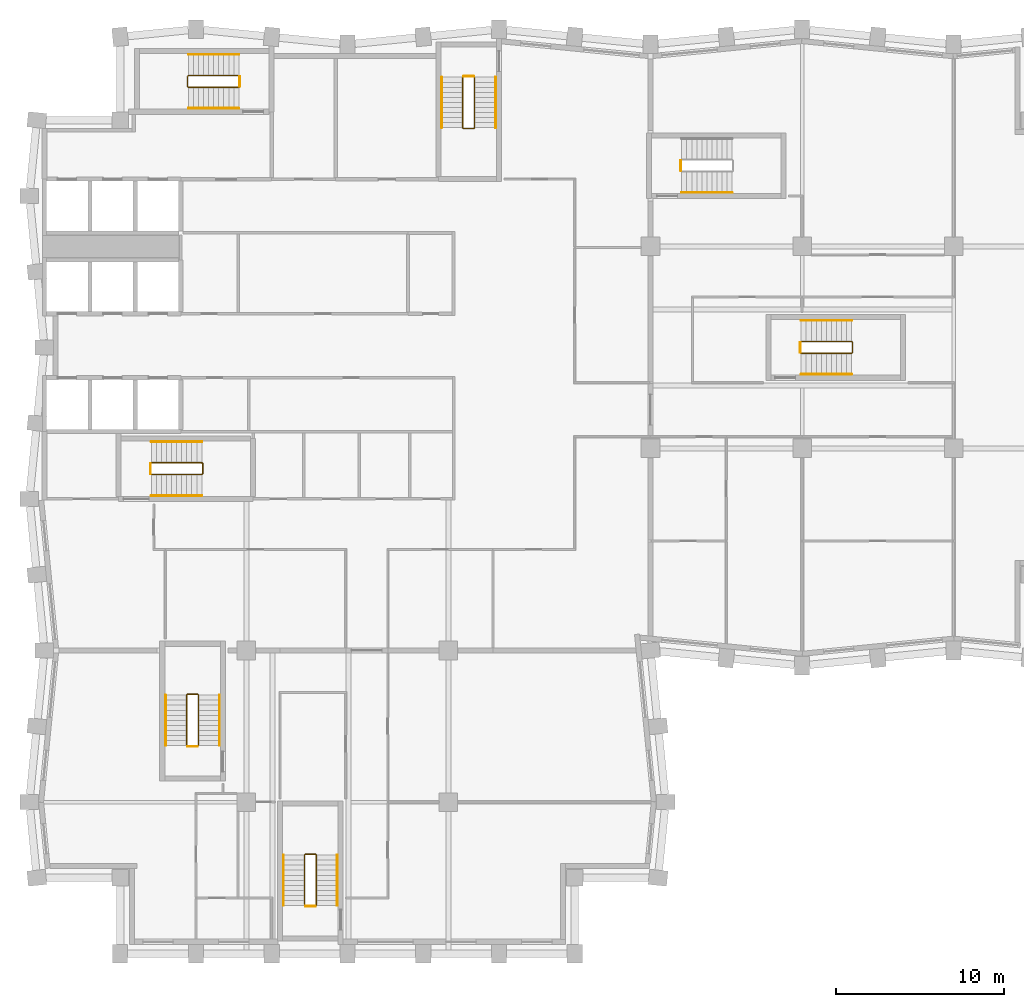
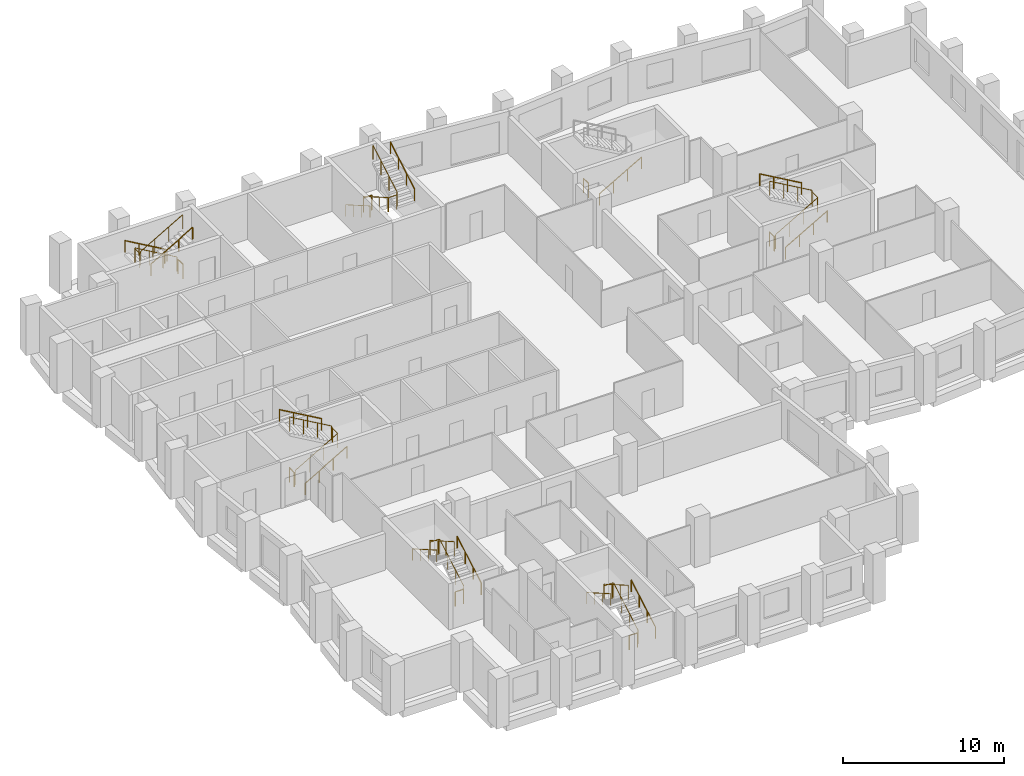
# One storey, part 9 of 10: 26 railings.
"""IFC4 building model written with IfcOpenShell, lengths in metres."""

from ifc_helpers import new_model, si_unit, direction, frame, origin, origin_2d, place, context, subcontext, project, spatial, circle, extrude, material, type_object, element, save


model = new_model("IFC4")

# Units and contexts
model_context = context("Model", 3, precision=1e-05, world=origin(), true_north=direction((0.0, 1.0)))
body_context = subcontext(model_context, "Body", "Model", "MODEL_VIEW")
ifc_project = project(units=[si_unit("LENGTHUNIT", "METRE"), si_unit("AREAUNIT", "SQUARE_METRE"), si_unit("VOLUMEUNIT", "CUBIC_METRE"), si_unit("PLANEANGLEUNIT", "RADIAN"), si_unit("MASSUNIT", "GRAM", prefix="KILO")], contexts=[model_context])

# Site, building, storey
site_placement = place(None, origin())
site = spatial("IfcSite", under=ifc_project, at=site_placement, CompositionType="ELEMENT")
building_placement = place(site_placement, origin())
building = spatial("IfcBuilding", under=site, at=building_placement, Name="Brondeck Convention Tower", CompositionType="ELEMENT")
storey_placement = place(building_placement, frame((0.0, 0.0, 173.800048828125)))
storey = spatial("IfcBuildingStorey", under=building, at=storey_placement, Name="L42", CompositionType="ELEMENT", Elevation=173.800048828125)

# Railings
ifc_material = material(Name="Steel S355", Category="steel")
railing_type_1 = type_object("IfcRailingType", Name="Stair guard 1100", PredefinedType="GUARDRAIL", material=ifc_material)
railing_1_placement = place(storey_placement, frame((6.35009765625, 37.449951171875, 0.172607421875)))
element("IfcRailing", 1, at=railing_1_placement, inside=storey, type_object=railing_type_1, Name="L42 ST-1 stair guard 1", PredefinedType="GUARDRAIL", context=body_context, shape_type="SweptSolid", body=[
    extrude(circle(Radius=0.02392578125, at=origin_2d()), frame((0.0, 0.0, 1.076171875), z_axis=(0.866619684472, 0.0, 0.498969260062), x_axis=(0.0, 1.0, 0.0)), (0.0, 0.0, 1.0), 3.461669921875),
    extrude(circle(Radius=0.02392578125, at=origin_2d()), frame((3.0, 0.0, 2.80322265625), z_axis=(0.705375805398, 0.708833529934, 0.0), x_axis=(-0.708833529934, 0.705375805398, 0.0)), (0.0, 0.0, 1.0), 0.070556640625),
    extrude(circle(Radius=0.02392578125, at=origin_2d()), frame((3.0498046875, 0.050048828125, 2.80322265625), z_axis=(0.0, 1.0, 0.0), x_axis=(-1.0, 0.0, 0.0)), (0.0, 0.0, 1.0), 0.60009765625),
    extrude(circle(Radius=0.02392578125, at=origin_2d()), frame((3.0498046875, 0.650146484375, 2.80322265625), z_axis=(-0.266832911964, 0.266832911964, 0.926067165051), x_axis=(-0.707106781187, -0.707106781187, 0.0)), (0.0, 0.0, 1.0), 0.186767578125),
    extrude(circle(Radius=0.02392578125, at=origin_2d()), frame((3.0, 0.699951171875, 2.97607421875), z_axis=(-0.866619684472, 0.0, 0.498969260062), x_axis=(0.0, -1.0, 0.0)), (0.0, 0.0, 1.0), 3.461669921875),
    extrude(circle(Radius=0.02099609375, at=origin_2d()), origin(), (0.0, 0.0, 1.0), 1.052001953125),
    extrude(circle(Radius=0.02099609375, at=origin_2d()), frame((1.0, 0.0, 0.57568359375)), (0.0, 0.0, 1.0), 1.052001953125),
    extrude(circle(Radius=0.02099609375, at=origin_2d()), frame((2.0, 0.0, 1.151611328125)), (0.0, 0.0, 1.0), 1.052001953125),
    extrude(circle(Radius=0.02099609375, at=origin_2d()), frame((3.0, 0.0, 1.727294921875)), (0.0, 0.0, 1.0), 1.052001953125),
    extrude(circle(Radius=0.02099609375, at=origin_2d()), frame((3.0498046875, 0.050048828125, 1.727294921875)), (0.0, 0.0, 1.0), 1.052001953125),
    extrude(circle(Radius=0.02099609375, at=origin_2d()), frame((3.0498046875, 0.650146484375, 1.727294921875)), (0.0, 0.0, 1.0), 1.052001953125),
    extrude(circle(Radius=0.02099609375, at=origin_2d()), frame((3.0, 0.699951171875, 1.900146484375)), (0.0, 0.0, 1.0), 1.052001953125),
    extrude(circle(Radius=0.02099609375, at=origin_2d()), frame((2.0, 0.699951171875, 2.475830078125)), (0.0, 0.0, 1.0), 1.052001953125),
    extrude(circle(Radius=0.02099609375, at=origin_2d()), frame((1.0, 0.699951171875, 3.0517578125)), (0.0, 0.0, 1.0), 1.052001953125),
    extrude(circle(Radius=0.02099609375, at=origin_2d()), frame((0.0, 0.699951171875, 3.62744140625)), (0.0, 0.0, 1.0), 1.052001953125),
])
railing_2_placement = place(storey_placement, frame((6.300048828125, 37.5, 0.0)))
element("IfcRailing", 2, at=railing_2_placement, inside=storey, type_object=railing_type_1, Name="L42 ST-1 stair guard 2", PredefinedType="GUARDRAIL", context=body_context, shape_type="SweptSolid", body=[
    extrude(circle(Radius=0.02392578125, at=origin_2d()), frame((0.0, 0.0, 1.076171875), z_axis=(0.0, 1.0, 0.0), x_axis=(-1.0, 0.0, 0.0)), (0.0, 0.0, 1.0), 0.60009765625),
    extrude(circle(Radius=0.02099609375, at=origin_2d()), origin(), (0.0, 0.0, 1.0), 1.052001953125),
    extrude(circle(Radius=0.02099609375, at=origin_2d()), frame((0.0, 0.60009765625, 0.0)), (0.0, 0.0, 1.0), 1.052001953125),
])
railing_3_placement = place(storey_placement, frame((24.85009765625, 61.050048828125, 0.172607421875)))
element("IfcRailing", 3, at=railing_3_placement, inside=storey, type_object=railing_type_1, Name="L42 ST-2 stair guard 1", PredefinedType="GUARDRAIL", context=body_context, shape_type="SweptSolid", body=[
    extrude(circle(Radius=0.02392578125, at=origin_2d()), frame((0.0, 0.0, 1.076171875), z_axis=(0.0, -0.866619684472, 0.498969260062), x_axis=(1.0, 0.0, 0.0)), (0.0, 0.0, 1.0), 3.461669921875),
    extrude(circle(Radius=0.02392578125, at=origin_2d()), frame((0.0, -3.0, 2.80322265625), z_axis=(0.705375805398, -0.708833529934, 0.0), x_axis=(0.708833529934, 0.705375805398, 0.0)), (0.0, 0.0, 1.0), 0.070556640625),
    extrude(circle(Radius=0.02392578125, at=origin_2d()), frame((0.0498046875, -3.050048828125, 2.80322265625), z_axis=(1.0, 0.0, 0.0), x_axis=(0.0, 1.0, 0.0)), (0.0, 0.0, 1.0), 0.60009765625),
    extrude(circle(Radius=0.02392578125, at=origin_2d()), frame((0.64990234375, -3.050048828125, 2.80322265625), z_axis=(0.267953482034, 0.267953482034, 0.925419830635), x_axis=(-0.707106781187, 0.707106781187, 0.0)), (0.0, 0.0, 1.0), 0.186767578125),
    extrude(circle(Radius=0.02392578125, at=origin_2d()), frame((0.699951171875, -3.0, 2.97607421875), z_axis=(0.0, 0.866619684472, 0.498969260062), x_axis=(-1.0, 0.0, 0.0)), (0.0, 0.0, 1.0), 3.461669921875),
    extrude(circle(Radius=0.02099609375, at=origin_2d()), origin(), (0.0, 0.0, 1.0), 1.052001953125),
    extrude(circle(Radius=0.02099609375, at=origin_2d()), frame((0.0, -1.0, 0.57568359375)), (0.0, 0.0, 1.0), 1.052001953125),
    extrude(circle(Radius=0.02099609375, at=origin_2d()), frame((0.0, -2.0, 1.151611328125)), (0.0, 0.0, 1.0), 1.052001953125),
    extrude(circle(Radius=0.02099609375, at=origin_2d()), frame((0.0, -3.0, 1.727294921875)), (0.0, 0.0, 1.0), 1.052001953125),
    extrude(circle(Radius=0.02099609375, at=origin_2d()), frame((0.0498046875, -3.050048828125, 1.727294921875)), (0.0, 0.0, 1.0), 1.052001953125),
    extrude(circle(Radius=0.02099609375, at=origin_2d()), frame((0.64990234375, -3.050048828125, 1.727294921875)), (0.0, 0.0, 1.0), 1.052001953125),
    extrude(circle(Radius=0.02099609375, at=origin_2d()), frame((0.699951171875, -3.0, 1.900146484375)), (0.0, 0.0, 1.0), 1.052001953125),
    extrude(circle(Radius=0.02099609375, at=origin_2d()), frame((0.699951171875, -2.0, 2.475830078125)), (0.0, 0.0, 1.0), 1.052001953125),
    extrude(circle(Radius=0.02099609375, at=origin_2d()), frame((0.699951171875, -1.0, 3.0517578125)), (0.0, 0.0, 1.0), 1.052001953125),
    extrude(circle(Radius=0.02099609375, at=origin_2d()), frame((0.699951171875, 0.0, 3.62744140625)), (0.0, 0.0, 1.0), 1.052001953125),
])
railing_4_placement = place(storey_placement, frame((24.89990234375, 61.10009765625, 0.0)))
element("IfcRailing", 4, at=railing_4_placement, inside=storey, type_object=railing_type_1, Name="L42 ST-2 stair guard 2", PredefinedType="GUARDRAIL", context=body_context, shape_type="SweptSolid", body=[
    extrude(circle(Radius=0.02392578125, at=origin_2d()), frame((0.0, 0.0, 1.076171875), z_axis=(1.0, 0.0, 0.0), x_axis=(0.0, 1.0, 0.0)), (0.0, 0.0, 1.0), 0.60009765625),
    extrude(circle(Radius=0.02099609375, at=origin_2d()), origin(), (0.0, 0.0, 1.0), 1.052001953125),
    extrude(circle(Radius=0.02099609375, at=origin_2d()), frame((0.60009765625, 0.0, 0.0)), (0.0, 0.0, 1.0), 1.052001953125),
])
railing_5_placement = place(storey_placement, frame((11.550048828125, 61.14990234375, 0.172607421875)))
element("IfcRailing", 5, at=railing_5_placement, inside=storey, type_object=railing_type_1, Name="L42 ST-3 stair guard 1", PredefinedType="GUARDRAIL", context=body_context, shape_type="SweptSolid", body=[
    extrude(circle(Radius=0.02392578125, at=origin_2d()), frame((0.0, 0.0, 1.076171875), z_axis=(-0.866619684472, 0.0, 0.498969260062), x_axis=(0.0, -1.0, 0.0)), (0.0, 0.0, 1.0), 3.461669921875),
    extrude(circle(Radius=0.02392578125, at=origin_2d()), frame((-3.0, 0.0, 2.80322265625), z_axis=(-0.708833529934, -0.705375805398, 0.0), x_axis=(0.705375805398, -0.708833529934, 0.0)), (0.0, 0.0, 1.0), 0.070556640625),
    extrude(circle(Radius=0.02392578125, at=origin_2d()), frame((-3.050048828125, -0.0498046875, 2.80322265625), z_axis=(0.0, -1.0, 0.0), x_axis=(1.0, 0.0, 0.0)), (0.0, 0.0, 1.0), 0.60009765625),
    extrude(circle(Radius=0.02392578125, at=origin_2d()), frame((-3.050048828125, -0.64990234375, 2.80322265625), z_axis=(0.267953482034, -0.267953482034, 0.925419830635), x_axis=(0.707106781187, 0.707106781187, 0.0)), (0.0, 0.0, 1.0), 0.186767578125),
    extrude(circle(Radius=0.02392578125, at=origin_2d()), frame((-3.0, -0.699951171875, 2.97607421875), z_axis=(0.866619684472, 0.0, 0.498969260062), x_axis=(0.0, 1.0, 0.0)), (0.0, 0.0, 1.0), 3.461669921875),
    extrude(circle(Radius=0.02099609375, at=origin_2d()), origin(), (0.0, 0.0, 1.0), 1.052001953125),
    extrude(circle(Radius=0.02099609375, at=origin_2d()), frame((-1.0, 0.0, 0.57568359375)), (0.0, 0.0, 1.0), 1.052001953125),
    extrude(circle(Radius=0.02099609375, at=origin_2d()), frame((-2.0, 0.0, 1.151611328125)), (0.0, 0.0, 1.0), 1.052001953125),
    extrude(circle(Radius=0.02099609375, at=origin_2d()), frame((-3.0, 0.0, 1.727294921875)), (0.0, 0.0, 1.0), 1.052001953125),
    extrude(circle(Radius=0.02099609375, at=origin_2d()), frame((-3.050048828125, -0.0498046875, 1.727294921875)), (0.0, 0.0, 1.0), 1.052001953125),
    extrude(circle(Radius=0.02099609375, at=origin_2d()), frame((-3.050048828125, -0.64990234375, 1.727294921875)), (0.0, 0.0, 1.0), 1.052001953125),
    extrude(circle(Radius=0.02099609375, at=origin_2d()), frame((-3.0, -0.699951171875, 1.900146484375)), (0.0, 0.0, 1.0), 1.052001953125),
    extrude(circle(Radius=0.02099609375, at=origin_2d()), frame((-2.0, -0.699951171875, 2.475830078125)), (0.0, 0.0, 1.0), 1.052001953125),
    extrude(circle(Radius=0.02099609375, at=origin_2d()), frame((-1.0, -0.699951171875, 3.0517578125)), (0.0, 0.0, 1.0), 1.052001953125),
    extrude(circle(Radius=0.02099609375, at=origin_2d()), frame((0.0, -0.699951171875, 3.62744140625)), (0.0, 0.0, 1.0), 1.052001953125),
])
railing_6_placement = place(storey_placement, frame((11.60009765625, 61.10009765625, 0.0)))
element("IfcRailing", 6, at=railing_6_placement, inside=storey, type_object=railing_type_1, Name="L42 ST-3 stair guard 2", PredefinedType="GUARDRAIL", context=body_context, shape_type="SweptSolid", body=[
    extrude(circle(Radius=0.02392578125, at=origin_2d()), frame((0.0, 0.0, 1.076171875), z_axis=(0.0, -1.0, 0.0), x_axis=(1.0, 0.0, 0.0)), (0.0, 0.0, 1.0), 0.60009765625),
    extrude(circle(Radius=0.02099609375, at=origin_2d()), origin(), (0.0, 0.0, 1.0), 1.052001953125),
    extrude(circle(Radius=0.02099609375, at=origin_2d()), frame((0.0, -0.60009765625, 0.0)), (0.0, 0.0, 1.0), 1.052001953125),
])
railing_7_placement = place(storey_placement, frame((37.800048828125, 55.5, 0.0)))
element("IfcRailing", 7, at=railing_7_placement, inside=storey, type_object=railing_type_1, Name="L42 ST-AE stair guard 2", PredefinedType="GUARDRAIL", context=body_context, shape_type="SweptSolid", body=[
    extrude(circle(Radius=0.02392578125, at=origin_2d()), frame((0.0, 0.0, 1.076171875), z_axis=(0.0, 1.0, 0.0), x_axis=(-1.0, 0.0, 0.0)), (0.0, 0.0, 1.0), 0.60009765625),
    extrude(circle(Radius=0.02099609375, at=origin_2d()), origin(), (0.0, 0.0, 1.0), 1.052001953125),
    extrude(circle(Radius=0.02099609375, at=origin_2d()), frame((0.0, 0.60009765625, 0.0)), (0.0, 0.0, 1.0), 1.052001953125),
])
railing_8_placement = place(storey_placement, frame((9.14990234375, 21.35009765625, 0.172607421875)))
element("IfcRailing", 8, at=railing_8_placement, inside=storey, type_object=railing_type_1, Name="L42 ST-BE stair guard 1", PredefinedType="GUARDRAIL", context=body_context, shape_type="SweptSolid", body=[
    extrude(circle(Radius=0.02392578125, at=origin_2d()), frame((0.0, 0.0, 1.076171875), z_axis=(0.0, 0.866619684472, 0.498969260062), x_axis=(-1.0, 0.0, 0.0)), (0.0, 0.0, 1.0), 3.461669921875),
    extrude(circle(Radius=0.02392578125, at=origin_2d()), frame((0.0, 3.0, 2.80322265625), z_axis=(-0.707106781187, 0.707106781187, 0.0), x_axis=(-0.707106781187, -0.707106781187, 0.0)), (0.0, 0.0, 1.0), 0.0703125),
    extrude(circle(Radius=0.02392578125, at=origin_2d()), frame((-0.0498046875, 3.0498046875, 2.80322265625), z_axis=(-1.0, 0.0, 0.0), x_axis=(0.0, -1.0, 0.0)), (0.0, 0.0, 1.0), 0.60009765625),
    extrude(circle(Radius=0.02392578125, at=origin_2d()), frame((-0.64990234375, 3.0498046875, 2.80322265625), z_axis=(-0.268047150085, -0.266739603011, 0.925743328097), x_axis=(0.705375805398, -0.708833529934, 0.0)), (0.0, 0.0, 1.0), 0.186767578125),
    extrude(circle(Radius=0.02392578125, at=origin_2d()), frame((-0.699951171875, 3.0, 2.97607421875), z_axis=(0.0, -0.866619684472, 0.498969260062), x_axis=(1.0, 0.0, 0.0)), (0.0, 0.0, 1.0), 3.461669921875),
    extrude(circle(Radius=0.02099609375, at=origin_2d()), origin(), (0.0, 0.0, 1.0), 1.052001953125),
    extrude(circle(Radius=0.02099609375, at=origin_2d()), frame((0.0, 1.0, 0.57568359375)), (0.0, 0.0, 1.0), 1.052001953125),
    extrude(circle(Radius=0.02099609375, at=origin_2d()), frame((0.0, 2.0, 1.151611328125)), (0.0, 0.0, 1.0), 1.052001953125),
    extrude(circle(Radius=0.02099609375, at=origin_2d()), frame((0.0, 3.0, 1.727294921875)), (0.0, 0.0, 1.0), 1.052001953125),
    extrude(circle(Radius=0.02099609375, at=origin_2d()), frame((-0.0498046875, 3.0498046875, 1.727294921875)), (0.0, 0.0, 1.0), 1.052001953125),
    extrude(circle(Radius=0.02099609375, at=origin_2d()), frame((-0.64990234375, 3.0498046875, 1.727294921875)), (0.0, 0.0, 1.0), 1.052001953125),
    extrude(circle(Radius=0.02099609375, at=origin_2d()), frame((-0.699951171875, 3.0, 1.900146484375)), (0.0, 0.0, 1.0), 1.052001953125),
    extrude(circle(Radius=0.02099609375, at=origin_2d()), frame((-0.699951171875, 2.0, 2.475830078125)), (0.0, 0.0, 1.0), 1.052001953125),
    extrude(circle(Radius=0.02099609375, at=origin_2d()), frame((-0.699951171875, 1.0, 3.0517578125)), (0.0, 0.0, 1.0), 1.052001953125),
    extrude(circle(Radius=0.02099609375, at=origin_2d()), frame((-0.699951171875, 0.0, 3.62744140625)), (0.0, 0.0, 1.0), 1.052001953125),
])
railing_9_placement = place(storey_placement, frame((9.10009765625, 21.300048828125, 0.0)))
element("IfcRailing", 9, at=railing_9_placement, inside=storey, type_object=railing_type_1, Name="L42 ST-BE stair guard 2", PredefinedType="GUARDRAIL", context=body_context, shape_type="SweptSolid", body=[
    extrude(circle(Radius=0.02392578125, at=origin_2d()), frame((0.0, 0.0, 1.076171875), z_axis=(-1.0, 0.0, 0.0), x_axis=(0.0, -1.0, 0.0)), (0.0, 0.0, 1.0), 0.60009765625),
    extrude(circle(Radius=0.02099609375, at=origin_2d()), origin(), (0.0, 0.0, 1.0), 1.052001953125),
    extrude(circle(Radius=0.02099609375, at=origin_2d()), frame((-0.60009765625, 0.0, 0.0)), (0.0, 0.0, 1.0), 1.052001953125),
])
railing_10_placement = place(storey_placement, frame((44.949951171875, 44.64990234375, 0.172607421875)))
element("IfcRailing", 10, at=railing_10_placement, inside=storey, type_object=railing_type_1, Name="L42 ST-AF stair guard 1", PredefinedType="GUARDRAIL", context=body_context, shape_type="SweptSolid", body=[
    extrude(circle(Radius=0.02392578125, at=origin_2d()), frame((0.0, 0.0, 1.076171875), z_axis=(0.866619684472, 0.0, 0.498969260062), x_axis=(0.0, 1.0, 0.0)), (0.0, 0.0, 1.0), 3.461669921875),
    extrude(circle(Radius=0.02392578125, at=origin_2d()), frame((3.0, 0.0, 2.80322265625), z_axis=(0.707106781187, 0.707106781187, 0.0), x_axis=(-0.707106781187, 0.707106781187, 0.0)), (0.0, 0.0, 1.0), 0.07080078125),
    extrude(circle(Radius=0.02392578125, at=origin_2d()), frame((3.050048828125, 0.050048828125, 2.80322265625), z_axis=(0.0, 1.0, 0.0), x_axis=(-1.0, 0.0, 0.0)), (0.0, 0.0, 1.0), 0.60009765625),
    extrude(circle(Radius=0.02392578125, at=origin_2d()), frame((3.050048828125, 0.650146484375, 2.80322265625), z_axis=(-0.267953482034, 0.267953482034, 0.925419830635), x_axis=(-0.707106781187, -0.707106781187, 0.0)), (0.0, 0.0, 1.0), 0.186767578125),
    extrude(circle(Radius=0.02392578125, at=origin_2d()), frame((3.0, 0.7001953125, 2.97607421875), z_axis=(-0.866619684472, 0.0, 0.498969260062), x_axis=(0.0, -1.0, 0.0)), (0.0, 0.0, 1.0), 3.461669921875),
    extrude(circle(Radius=0.02099609375, at=origin_2d()), origin(), (0.0, 0.0, 1.0), 1.052001953125),
    extrude(circle(Radius=0.02099609375, at=origin_2d()), frame((1.0, 0.0, 0.57568359375)), (0.0, 0.0, 1.0), 1.052001953125),
    extrude(circle(Radius=0.02099609375, at=origin_2d()), frame((2.0, 0.0, 1.151611328125)), (0.0, 0.0, 1.0), 1.052001953125),
    extrude(circle(Radius=0.02099609375, at=origin_2d()), frame((3.0, 0.0, 1.727294921875)), (0.0, 0.0, 1.0), 1.052001953125),
    extrude(circle(Radius=0.02099609375, at=origin_2d()), frame((3.050048828125, 0.050048828125, 1.727294921875)), (0.0, 0.0, 1.0), 1.052001953125),
    extrude(circle(Radius=0.02099609375, at=origin_2d()), frame((3.050048828125, 0.650146484375, 1.727294921875)), (0.0, 0.0, 1.0), 1.052001953125),
    extrude(circle(Radius=0.02099609375, at=origin_2d()), frame((3.0, 0.7001953125, 1.900146484375)), (0.0, 0.0, 1.0), 1.052001953125),
    extrude(circle(Radius=0.02099609375, at=origin_2d()), frame((2.0, 0.7001953125, 2.475830078125)), (0.0, 0.0, 1.0), 1.052001953125),
    extrude(circle(Radius=0.02099609375, at=origin_2d()), frame((1.0, 0.7001953125, 3.0517578125)), (0.0, 0.0, 1.0), 1.052001953125),
    extrude(circle(Radius=0.02099609375, at=origin_2d()), frame((0.0, 0.7001953125, 3.62744140625)), (0.0, 0.0, 1.0), 1.052001953125),
])
railing_11_placement = place(storey_placement, frame((44.89990234375, 44.699951171875, 0.0)))
element("IfcRailing", 11, at=railing_11_placement, inside=storey, type_object=railing_type_1, Name="L42 ST-AF stair guard 2", PredefinedType="GUARDRAIL", context=body_context, shape_type="SweptSolid", body=[
    extrude(circle(Radius=0.02392578125, at=origin_2d()), frame((0.0, 0.0, 1.076171875), z_axis=(0.0, 1.0, 0.0), x_axis=(-1.0, 0.0, 0.0)), (0.0, 0.0, 1.0), 0.60009765625),
    extrude(circle(Radius=0.02099609375, at=origin_2d()), origin(), (0.0, 0.0, 1.0), 1.052001953125),
    extrude(circle(Radius=0.02099609375, at=origin_2d()), frame((0.0, 0.60009765625, 0.0)), (0.0, 0.0, 1.0), 1.052001953125),
])
railing_12_placement = place(storey_placement, frame((16.14990234375, 11.85009765625, 0.172607421875)))
element("IfcRailing", 12, at=railing_12_placement, inside=storey, type_object=railing_type_1, Name="L42 ST-BF stair guard 1", PredefinedType="GUARDRAIL", context=body_context, shape_type="SweptSolid", body=[
    extrude(circle(Radius=0.02392578125, at=origin_2d()), frame((0.0, 0.0, 1.076171875), z_axis=(0.0, 0.866619684472, 0.498969260062), x_axis=(-1.0, 0.0, 0.0)), (0.0, 0.0, 1.0), 3.461669921875),
    extrude(circle(Radius=0.02392578125, at=origin_2d()), frame((0.0, 3.0, 2.80322265625), z_axis=(-0.707106781187, 0.707106781187, 0.0), x_axis=(-0.707106781187, -0.707106781187, 0.0)), (0.0, 0.0, 1.0), 0.0703125),
    extrude(circle(Radius=0.02392578125, at=origin_2d()), frame((-0.0498046875, 3.0498046875, 2.80322265625), z_axis=(-1.0, 0.0, 0.0), x_axis=(0.0, -1.0, 0.0)), (0.0, 0.0, 1.0), 0.60009765625),
    extrude(circle(Radius=0.02392578125, at=origin_2d()), frame((-0.64990234375, 3.0498046875, 2.80322265625), z_axis=(-0.268047150085, -0.266739603011, 0.925743328097), x_axis=(0.705375805398, -0.708833529934, 0.0)), (0.0, 0.0, 1.0), 0.186767578125),
    extrude(circle(Radius=0.02392578125, at=origin_2d()), frame((-0.699951171875, 3.0, 2.97607421875), z_axis=(0.0, -0.866619684472, 0.498969260062), x_axis=(1.0, 0.0, 0.0)), (0.0, 0.0, 1.0), 3.461669921875),
    extrude(circle(Radius=0.02099609375, at=origin_2d()), origin(), (0.0, 0.0, 1.0), 1.052001953125),
    extrude(circle(Radius=0.02099609375, at=origin_2d()), frame((0.0, 1.0, 0.57568359375)), (0.0, 0.0, 1.0), 1.052001953125),
    extrude(circle(Radius=0.02099609375, at=origin_2d()), frame((0.0, 2.0, 1.151611328125)), (0.0, 0.0, 1.0), 1.052001953125),
    extrude(circle(Radius=0.02099609375, at=origin_2d()), frame((0.0, 3.0, 1.727294921875)), (0.0, 0.0, 1.0), 1.052001953125),
    extrude(circle(Radius=0.02099609375, at=origin_2d()), frame((-0.0498046875, 3.0498046875, 1.727294921875)), (0.0, 0.0, 1.0), 1.052001953125),
    extrude(circle(Radius=0.02099609375, at=origin_2d()), frame((-0.64990234375, 3.0498046875, 1.727294921875)), (0.0, 0.0, 1.0), 1.052001953125),
    extrude(circle(Radius=0.02099609375, at=origin_2d()), frame((-0.699951171875, 3.0, 1.900146484375)), (0.0, 0.0, 1.0), 1.052001953125),
    extrude(circle(Radius=0.02099609375, at=origin_2d()), frame((-0.699951171875, 2.0, 2.475830078125)), (0.0, 0.0, 1.0), 1.052001953125),
    extrude(circle(Radius=0.02099609375, at=origin_2d()), frame((-0.699951171875, 1.0, 3.0517578125)), (0.0, 0.0, 1.0), 1.052001953125),
    extrude(circle(Radius=0.02099609375, at=origin_2d()), frame((-0.699951171875, 0.0, 3.62744140625)), (0.0, 0.0, 1.0), 1.052001953125),
])
railing_13_placement = place(storey_placement, frame((16.10009765625, 11.800048828125, 0.0)))
element("IfcRailing", 13, at=railing_13_placement, inside=storey, type_object=railing_type_1, Name="L42 ST-BF stair guard 2", PredefinedType="GUARDRAIL", context=body_context, shape_type="SweptSolid", body=[
    extrude(circle(Radius=0.02392578125, at=origin_2d()), frame((0.0, 0.0, 1.076171875), z_axis=(-1.0, 0.0, 0.0), x_axis=(0.0, -1.0, 0.0)), (0.0, 0.0, 1.0), 0.60009765625),
    extrude(circle(Radius=0.02099609375, at=origin_2d()), origin(), (0.0, 0.0, 1.0), 1.052001953125),
    extrude(circle(Radius=0.02099609375, at=origin_2d()), frame((-0.60009765625, 0.0, 0.0)), (0.0, 0.0, 1.0), 1.052001953125),
])
railing_type_2 = type_object("IfcRailingType", Name="Stair handrail", PredefinedType="HANDRAIL", material=ifc_material)
railing_14_placement = place(storey_placement, frame((6.35009765625, 36.199951171875, 0.172607421875)))
element("IfcRailing", 14, at=railing_14_placement, inside=storey, type_object=railing_type_2, Name="L42 ST-1 stair handrail 1", PredefinedType="HANDRAIL", context=body_context, shape_type="SweptSolid", body=[
    extrude(circle(Radius=0.02392578125, at=origin_2d()), frame((0.0, 0.0, 0.8759765625), z_axis=(0.866619684472, 0.0, 0.498969260062), x_axis=(0.0, 1.0, 0.0)), (0.0, 0.0, 1.0), 3.461669921875),
    extrude(circle(Radius=0.02099609375, at=origin_2d()), origin(), (0.0, 0.0, 1.0), 0.851806640625),
    extrude(circle(Radius=0.02099609375, at=origin_2d()), frame((1.0, 0.0, 0.57568359375)), (0.0, 0.0, 1.0), 0.851806640625),
    extrude(circle(Radius=0.02099609375, at=origin_2d()), frame((2.0, 0.0, 1.151611328125)), (0.0, 0.0, 1.0), 0.851806640625),
    extrude(circle(Radius=0.02099609375, at=origin_2d()), frame((3.0, 0.0, 1.727294921875)), (0.0, 0.0, 1.0), 0.851806640625),
])
railing_15_placement = place(storey_placement, frame((9.35009765625, 39.39990234375, 2.07275390625)))
element("IfcRailing", 15, at=railing_15_placement, inside=storey, type_object=railing_type_2, Name="L42 ST-1 stair handrail 2", PredefinedType="HANDRAIL", context=body_context, shape_type="SweptSolid", body=[
    extrude(circle(Radius=0.02392578125, at=origin_2d()), frame((0.0, 0.0, 0.8759765625), z_axis=(-0.866619684472, 0.0, 0.498969260062), x_axis=(0.0, -1.0, 0.0)), (0.0, 0.0, 1.0), 3.461669921875),
    extrude(circle(Radius=0.02099609375, at=origin_2d()), origin(), (0.0, 0.0, 1.0), 0.851806640625),
    extrude(circle(Radius=0.02099609375, at=origin_2d()), frame((-1.0, 0.0, 0.57568359375)), (0.0, 0.0, 1.0), 0.851806640625),
    extrude(circle(Radius=0.02099609375, at=origin_2d()), frame((-2.0, 0.0, 1.151611328125)), (0.0, 0.0, 1.0), 0.851806640625),
    extrude(circle(Radius=0.02099609375, at=origin_2d()), frame((-3.0, 0.0, 1.727294921875)), (0.0, 0.0, 1.0), 0.851806640625),
])
railing_16_placement = place(storey_placement, frame((23.60009765625, 61.050048828125, 0.172607421875)))
element("IfcRailing", 16, at=railing_16_placement, inside=storey, type_object=railing_type_2, Name="L42 ST-2 stair handrail 1", PredefinedType="HANDRAIL", context=body_context, shape_type="SweptSolid", body=[
    extrude(circle(Radius=0.02392578125, at=origin_2d()), frame((0.0, 0.0, 0.8759765625), z_axis=(0.0, -0.866619684472, 0.498969260062), x_axis=(1.0, 0.0, 0.0)), (0.0, 0.0, 1.0), 3.461669921875),
    extrude(circle(Radius=0.02099609375, at=origin_2d()), origin(), (0.0, 0.0, 1.0), 0.851806640625),
    extrude(circle(Radius=0.02099609375, at=origin_2d()), frame((0.0, -1.0, 0.57568359375)), (0.0, 0.0, 1.0), 0.851806640625),
    extrude(circle(Radius=0.02099609375, at=origin_2d()), frame((0.0, -2.0, 1.151611328125)), (0.0, 0.0, 1.0), 0.851806640625),
    extrude(circle(Radius=0.02099609375, at=origin_2d()), frame((0.0, -3.0, 1.727294921875)), (0.0, 0.0, 1.0), 0.851806640625),
])
railing_17_placement = place(storey_placement, frame((26.800048828125, 58.050048828125, 2.07275390625)))
element("IfcRailing", 17, at=railing_17_placement, inside=storey, type_object=railing_type_2, Name="L42 ST-2 stair handrail 2", PredefinedType="HANDRAIL", context=body_context, shape_type="SweptSolid", body=[
    extrude(circle(Radius=0.02392578125, at=origin_2d()), frame((0.0, 0.0, 0.8759765625), z_axis=(0.0, 0.866619684472, 0.498969260062), x_axis=(-1.0, 0.0, 0.0)), (0.0, 0.0, 1.0), 3.461669921875),
    extrude(circle(Radius=0.02099609375, at=origin_2d()), origin(), (0.0, 0.0, 1.0), 0.851806640625),
    extrude(circle(Radius=0.02099609375, at=origin_2d()), frame((0.0, 1.0, 0.57568359375)), (0.0, 0.0, 1.0), 0.851806640625),
    extrude(circle(Radius=0.02099609375, at=origin_2d()), frame((0.0, 2.0, 1.151611328125)), (0.0, 0.0, 1.0), 0.851806640625),
    extrude(circle(Radius=0.02099609375, at=origin_2d()), frame((0.0, 3.0, 1.727294921875)), (0.0, 0.0, 1.0), 0.851806640625),
])
railing_18_placement = place(storey_placement, frame((11.550048828125, 62.39990234375, 0.172607421875)))
element("IfcRailing", 18, at=railing_18_placement, inside=storey, type_object=railing_type_2, Name="L42 ST-3 stair handrail 1", PredefinedType="HANDRAIL", context=body_context, shape_type="SweptSolid", body=[
    extrude(circle(Radius=0.02392578125, at=origin_2d()), frame((0.0, 0.0, 0.8759765625), z_axis=(-0.866619684472, 0.0, 0.498969260062), x_axis=(0.0, -1.0, 0.0)), (0.0, 0.0, 1.0), 3.461669921875),
    extrude(circle(Radius=0.02099609375, at=origin_2d()), origin(), (0.0, 0.0, 1.0), 0.851806640625),
    extrude(circle(Radius=0.02099609375, at=origin_2d()), frame((-1.0, 0.0, 0.57568359375)), (0.0, 0.0, 1.0), 0.851806640625),
    extrude(circle(Radius=0.02099609375, at=origin_2d()), frame((-2.0, 0.0, 1.151611328125)), (0.0, 0.0, 1.0), 0.851806640625),
    extrude(circle(Radius=0.02099609375, at=origin_2d()), frame((-3.0, 0.0, 1.727294921875)), (0.0, 0.0, 1.0), 0.851806640625),
])
for number, where, name in (
    (19, (8.550048828125, 59.199951171875, 2.07275390625), "L42 ST-3 stair handrail 2"),
    (20, (37.85009765625, 54.199951171875, 0.172607421875), "L42 ST-AE stair handrail 1"),
):
    element("IfcRailing", number, at=place(storey_placement, frame(where)), inside=storey, type_object=railing_type_2, Name=name, PredefinedType="HANDRAIL", context=body_context, shape_type="SweptSolid", body=[
        extrude(circle(Radius=0.02392578125, at=origin_2d()), frame((0.0, 0.0, 0.8759765625), z_axis=(0.866619684472, 0.0, 0.498969260062), x_axis=(0.0, 1.0, 0.0)), (0.0, 0.0, 1.0), 3.461669921875),
        extrude(circle(Radius=0.02099609375, at=origin_2d()), origin(), (0.0, 0.0, 1.0), 0.851806640625),
        extrude(circle(Radius=0.02099609375, at=origin_2d()), frame((1.0, 0.0, 0.57568359375)), (0.0, 0.0, 1.0), 0.851806640625),
        extrude(circle(Radius=0.02099609375, at=origin_2d()), frame((2.0, 0.0, 1.151611328125)), (0.0, 0.0, 1.0), 0.851806640625),
        extrude(circle(Radius=0.02099609375, at=origin_2d()), frame((3.0, 0.0, 1.727294921875)), (0.0, 0.0, 1.0), 0.851806640625),
    ])
railing_19_placement = place(storey_placement, frame((10.39990234375, 21.35009765625, 0.172607421875)))
element("IfcRailing", 21, at=railing_19_placement, inside=storey, type_object=railing_type_2, Name="L42 ST-BE stair handrail 1", PredefinedType="HANDRAIL", context=body_context, shape_type="SweptSolid", body=[
    extrude(circle(Radius=0.02392578125, at=origin_2d()), frame((0.0, 0.0, 0.8759765625), z_axis=(0.0, 0.866619684472, 0.498969260062), x_axis=(-1.0, 0.0, 0.0)), (0.0, 0.0, 1.0), 3.461669921875),
    extrude(circle(Radius=0.02099609375, at=origin_2d()), origin(), (0.0, 0.0, 1.0), 0.851806640625),
    extrude(circle(Radius=0.02099609375, at=origin_2d()), frame((0.0, 1.0, 0.57568359375)), (0.0, 0.0, 1.0), 0.851806640625),
    extrude(circle(Radius=0.02099609375, at=origin_2d()), frame((0.0, 2.0, 1.151611328125)), (0.0, 0.0, 1.0), 0.851806640625),
    extrude(circle(Radius=0.02099609375, at=origin_2d()), frame((0.0, 3.0, 1.727294921875)), (0.0, 0.0, 1.0), 0.851806640625),
])
railing_20_placement = place(storey_placement, frame((7.199951171875, 24.35009765625, 2.07275390625)))
element("IfcRailing", 22, at=railing_20_placement, inside=storey, type_object=railing_type_2, Name="L42 ST-BE stair handrail 2", PredefinedType="HANDRAIL", context=body_context, shape_type="SweptSolid", body=[
    extrude(circle(Radius=0.02392578125, at=origin_2d()), frame((0.0, 0.0, 0.8759765625), z_axis=(0.0, -0.866619684472, 0.498969260062), x_axis=(1.0, 0.0, 0.0)), (0.0, 0.0, 1.0), 3.461669921875),
    extrude(circle(Radius=0.02099609375, at=origin_2d()), origin(), (0.0, 0.0, 1.0), 0.851806640625),
    extrude(circle(Radius=0.02099609375, at=origin_2d()), frame((0.0, -1.0, 0.57568359375)), (0.0, 0.0, 1.0), 0.851806640625),
    extrude(circle(Radius=0.02099609375, at=origin_2d()), frame((0.0, -2.0, 1.151611328125)), (0.0, 0.0, 1.0), 0.851806640625),
    extrude(circle(Radius=0.02099609375, at=origin_2d()), frame((0.0, -3.0, 1.727294921875)), (0.0, 0.0, 1.0), 0.851806640625),
])
railing_21_placement = place(storey_placement, frame((44.949951171875, 43.39990234375, 0.172607421875)))
element("IfcRailing", 23, at=railing_21_placement, inside=storey, type_object=railing_type_2, Name="L42 ST-AF stair handrail 1", PredefinedType="HANDRAIL", context=body_context, shape_type="SweptSolid", body=[
    extrude(circle(Radius=0.02392578125, at=origin_2d()), frame((0.0, 0.0, 0.8759765625), z_axis=(0.866619684472, 0.0, 0.498969260062), x_axis=(0.0, 1.0, 0.0)), (0.0, 0.0, 1.0), 3.461669921875),
    extrude(circle(Radius=0.02099609375, at=origin_2d()), origin(), (0.0, 0.0, 1.0), 0.851806640625),
    extrude(circle(Radius=0.02099609375, at=origin_2d()), frame((1.0, 0.0, 0.57568359375)), (0.0, 0.0, 1.0), 0.851806640625),
    extrude(circle(Radius=0.02099609375, at=origin_2d()), frame((2.0, 0.0, 1.151611328125)), (0.0, 0.0, 1.0), 0.851806640625),
    extrude(circle(Radius=0.02099609375, at=origin_2d()), frame((3.0, 0.0, 1.727294921875)), (0.0, 0.0, 1.0), 0.851806640625),
])
railing_22_placement = place(storey_placement, frame((47.949951171875, 46.60009765625, 2.07275390625)))
element("IfcRailing", 24, at=railing_22_placement, inside=storey, type_object=railing_type_2, Name="L42 ST-AF stair handrail 2", PredefinedType="HANDRAIL", context=body_context, shape_type="SweptSolid", body=[
    extrude(circle(Radius=0.02392578125, at=origin_2d()), frame((0.0, 0.0, 0.8759765625), z_axis=(-0.866619684472, 0.0, 0.498969260062), x_axis=(0.0, -1.0, 0.0)), (0.0, 0.0, 1.0), 3.461669921875),
    extrude(circle(Radius=0.02099609375, at=origin_2d()), origin(), (0.0, 0.0, 1.0), 0.851806640625),
    extrude(circle(Radius=0.02099609375, at=origin_2d()), frame((-1.0, 0.0, 0.57568359375)), (0.0, 0.0, 1.0), 0.851806640625),
    extrude(circle(Radius=0.02099609375, at=origin_2d()), frame((-2.0, 0.0, 1.151611328125)), (0.0, 0.0, 1.0), 0.851806640625),
    extrude(circle(Radius=0.02099609375, at=origin_2d()), frame((-3.0, 0.0, 1.727294921875)), (0.0, 0.0, 1.0), 0.851806640625),
])
railing_23_placement = place(storey_placement, frame((17.39990234375, 11.85009765625, 0.172607421875)))
element("IfcRailing", 25, at=railing_23_placement, inside=storey, type_object=railing_type_2, Name="L42 ST-BF stair handrail 1", PredefinedType="HANDRAIL", context=body_context, shape_type="SweptSolid", body=[
    extrude(circle(Radius=0.02392578125, at=origin_2d()), frame((0.0, 0.0, 0.8759765625), z_axis=(0.0, 0.866619684472, 0.498969260062), x_axis=(-1.0, 0.0, 0.0)), (0.0, 0.0, 1.0), 3.461669921875),
    extrude(circle(Radius=0.02099609375, at=origin_2d()), origin(), (0.0, 0.0, 1.0), 0.851806640625),
    extrude(circle(Radius=0.02099609375, at=origin_2d()), frame((0.0, 1.0, 0.57568359375)), (0.0, 0.0, 1.0), 0.851806640625),
    extrude(circle(Radius=0.02099609375, at=origin_2d()), frame((0.0, 2.0, 1.151611328125)), (0.0, 0.0, 1.0), 0.851806640625),
    extrude(circle(Radius=0.02099609375, at=origin_2d()), frame((0.0, 3.0, 1.727294921875)), (0.0, 0.0, 1.0), 0.851806640625),
])
railing_24_placement = place(storey_placement, frame((14.199951171875, 14.85009765625, 2.07275390625)))
element("IfcRailing", 26, at=railing_24_placement, inside=storey, type_object=railing_type_2, Name="L42 ST-BF stair handrail 2", PredefinedType="HANDRAIL", context=body_context, shape_type="SweptSolid", body=[
    extrude(circle(Radius=0.02392578125, at=origin_2d()), frame((0.0, 0.0, 0.8759765625), z_axis=(0.0, -0.866619684472, 0.498969260062), x_axis=(1.0, 0.0, 0.0)), (0.0, 0.0, 1.0), 3.461669921875),
    extrude(circle(Radius=0.02099609375, at=origin_2d()), origin(), (0.0, 0.0, 1.0), 0.851806640625),
    extrude(circle(Radius=0.02099609375, at=origin_2d()), frame((0.0, -1.0, 0.57568359375)), (0.0, 0.0, 1.0), 0.851806640625),
    extrude(circle(Radius=0.02099609375, at=origin_2d()), frame((0.0, -2.0, 1.151611328125)), (0.0, 0.0, 1.0), 0.851806640625),
    extrude(circle(Radius=0.02099609375, at=origin_2d()), frame((0.0, -3.0, 1.727294921875)), (0.0, 0.0, 1.0), 0.851806640625),
])

save(model, "model.ifc")
